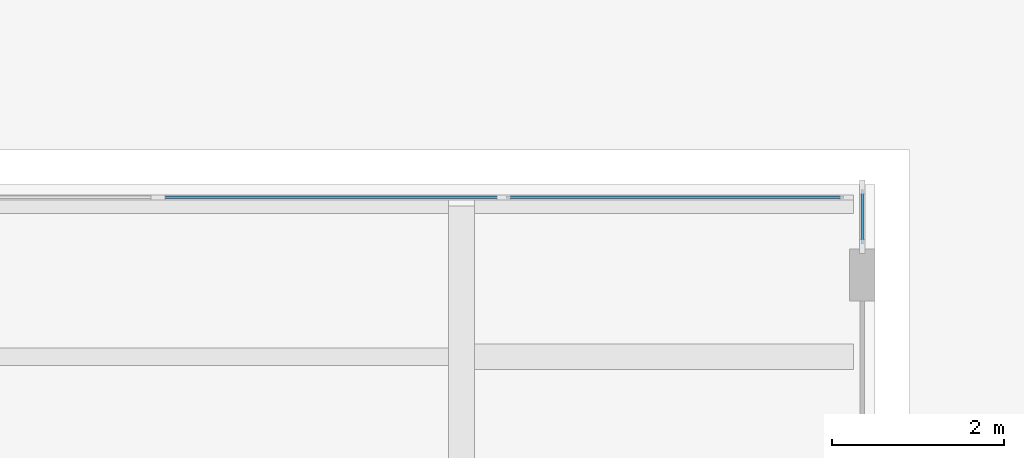
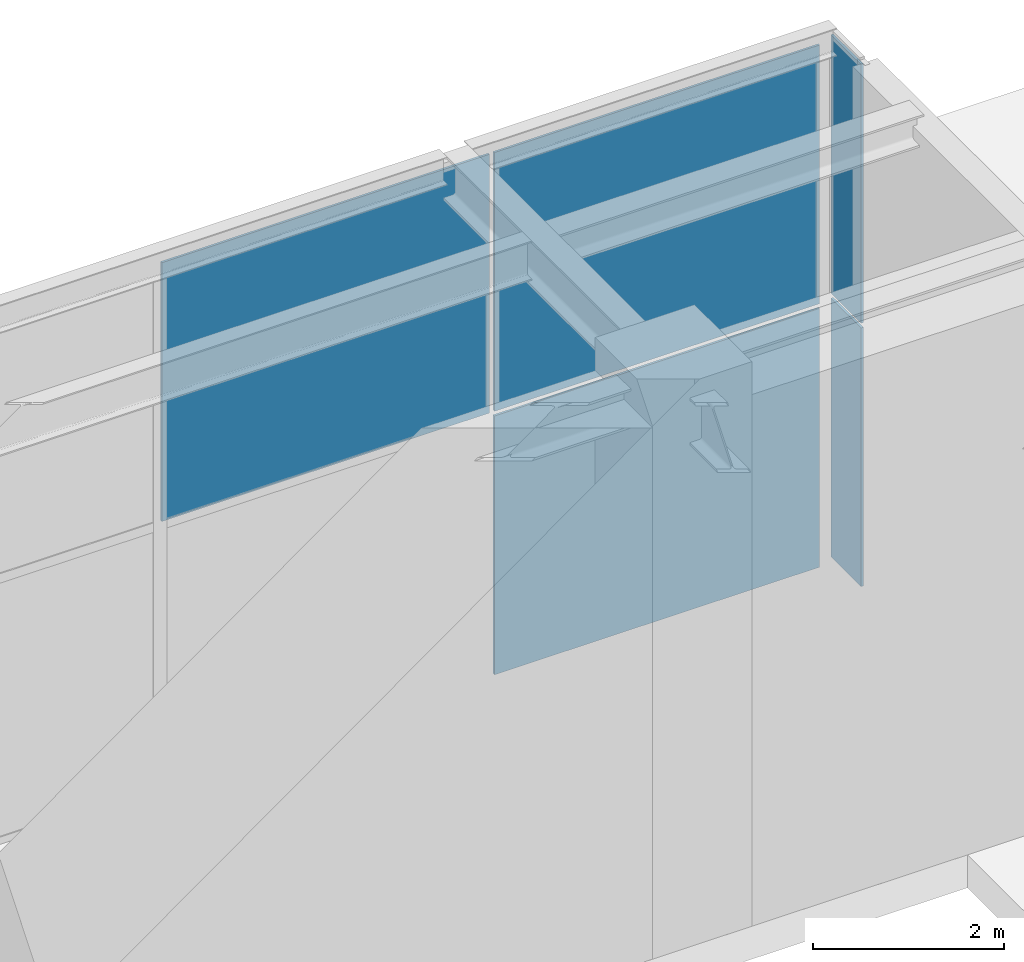
# One storey, part 27 of 43: 5 plates, 2 elements without a shape of their own.
"""IFC4 building model written with IfcOpenShell, lengths in metres."""

from ifc_helpers import new_model, si_unit, direction, frame, origin, origin_2d, place, context, subcontext, project, spatial, rectangle, extrude, material, layer, layer_set, type_object, element, aggregate, save


model = new_model("IFC4")

# Units and contexts
model_context = context("Model", 3, precision=1e-05, world=origin(), true_north=direction((0.0, 1.0)))
body_context = subcontext(model_context, "Body", "Model", "MODEL_VIEW")
ifc_project = project(units=[si_unit("LENGTHUNIT", "METRE"), si_unit("AREAUNIT", "SQUARE_METRE"), si_unit("VOLUMEUNIT", "CUBIC_METRE"), si_unit("PLANEANGLEUNIT", "RADIAN"), si_unit("MASSUNIT", "GRAM", prefix="KILO")], contexts=[model_context])

# Site, building, storey
site_placement = place(None, origin())
site = spatial("IfcSite", under=ifc_project, at=site_placement, CompositionType="ELEMENT")
building_placement = place(site_placement, origin())
building = spatial("IfcBuilding", under=site, at=building_placement, Name="Khepri Terraces", CompositionType="ELEMENT")
storey_placement = place(building_placement, origin())
storey = spatial("IfcBuildingStorey", under=building, at=storey_placement, Name="L00", CompositionType="ELEMENT", Elevation=0.0)

# Curtain wall, plates
ifc_material_1 = material(Name="Anodised aluminium bronze curtain wall", Category="aluminium")
curtain_wall_type = type_object("IfcCurtainWallType", Name="CW-SYS1-LOBBY", PredefinedType="NOTDEFINED", material=ifc_material_1)
curtain_wall_1_placement = place(storey_placement, origin())
curtain_wall_1 = element("IfcCurtainWall", 1, at=curtain_wall_1_placement, inside=storey, type_object=curtain_wall_type, Name="Curtain wall CW1 L00 E", PredefinedType="NOTDEFINED")
ifc_material_2 = material(Name="Clear glass", Category="glass")
ifc_layer = layer(ifc_material_2, 0.028076171875, Name="Clear glass", Category="glass")
ifc_layer_set = layer_set([ifc_layer], Name="Clear glass")
plate_type = type_object("IfcPlateType", Name="CW-PANEL-VISION-28", PredefinedType="CURTAIN_PANEL", material=ifc_layer_set)
plate_1_placement = place(storey_placement, frame((46.64990234375, 46.425048828125, 0.06005859375), z_axis=(0.0, 0.0, 1.0), x_axis=(0.0, 1.0, 0.0)))
plate_1 = element("IfcPlate", 2, at=plate_1_placement, type_object=plate_type, Name="CW1 panel 1.1", PredefinedType="CURTAIN_PANEL", context=body_context, shape_type="SweptSolid", body=[
    extrude(rectangle(XDim=0.6298828125, YDim=0.028076171875, at=origin_2d()), origin(), (0.0, 0.0, 1.0), 3.300048828125),
])
plate_2_placement = place(storey_placement, frame((46.64990234375, 46.425048828125, 3.419921875), z_axis=(0.0, 0.0, 1.0), x_axis=(0.0, 1.0, 0.0)))
plate_2 = element("IfcPlate", 3, at=plate_2_placement, type_object=plate_type, Name="CW1 panel 1.2", PredefinedType="CURTAIN_PANEL", context=body_context, shape_type="SweptSolid", body=[
    extrude(rectangle(XDim=0.6298828125, YDim=0.028076171875, at=origin_2d()), origin(), (0.0, 0.0, 1.0), 3.300048828125),
])
aggregate(curtain_wall_1, [plate_1, plate_2])

curtain_wall_2_placement = place(storey_placement, origin())
curtain_wall_2 = element("IfcCurtainWall", 4, at=curtain_wall_2_placement, inside=storey, type_object=curtain_wall_type, Name="Curtain wall CW1 L00 N", PredefinedType="NOTDEFINED")
plate_3_placement = place(storey_placement, frame((44.478759765625, 46.64990234375, 0.06005859375), z_axis=(0.0, 0.0, 1.0), x_axis=(-1.0, 0.0, 0.0)))
plate_3 = element("IfcPlate", 5, at=plate_3_placement, type_object=plate_type, Name="CW1 panel 1.1", PredefinedType="CURTAIN_PANEL", context=body_context, shape_type="SweptSolid", body=[
    extrude(rectangle(XDim=3.922607421875, YDim=0.028076171875, at=origin_2d()), origin(), (0.0, 0.0, 1.0), 3.300048828125),
])
plate_4_placement = place(storey_placement, frame((44.478759765625, 46.64990234375, 3.419921875), z_axis=(0.0, 0.0, 1.0), x_axis=(-1.0, 0.0, 0.0)))
plate_4 = element("IfcPlate", 6, at=plate_4_placement, type_object=plate_type, Name="CW1 panel 1.2", PredefinedType="CURTAIN_PANEL", context=body_context, shape_type="SweptSolid", body=[
    extrude(rectangle(XDim=3.922607421875, YDim=0.028076171875, at=origin_2d()), origin(), (0.0, 0.0, 1.0), 3.300048828125),
])
plate_5_placement = place(storey_placement, frame((40.481201171875, 46.64990234375, 3.419921875), z_axis=(0.0, 0.0, 1.0), x_axis=(-1.0, 0.0, 0.0)))
plate_5 = element("IfcPlate", 7, at=plate_5_placement, type_object=plate_type, Name="CW1 panel 2.2", PredefinedType="CURTAIN_PANEL", context=body_context, shape_type="SweptSolid", body=[
    extrude(rectangle(XDim=3.952392578125, YDim=0.028076171875, at=origin_2d()), origin(), (0.0, 0.0, 1.0), 3.300048828125),
])
aggregate(curtain_wall_2, [plate_3, plate_4, plate_5])

save(model, "model.ifc")
